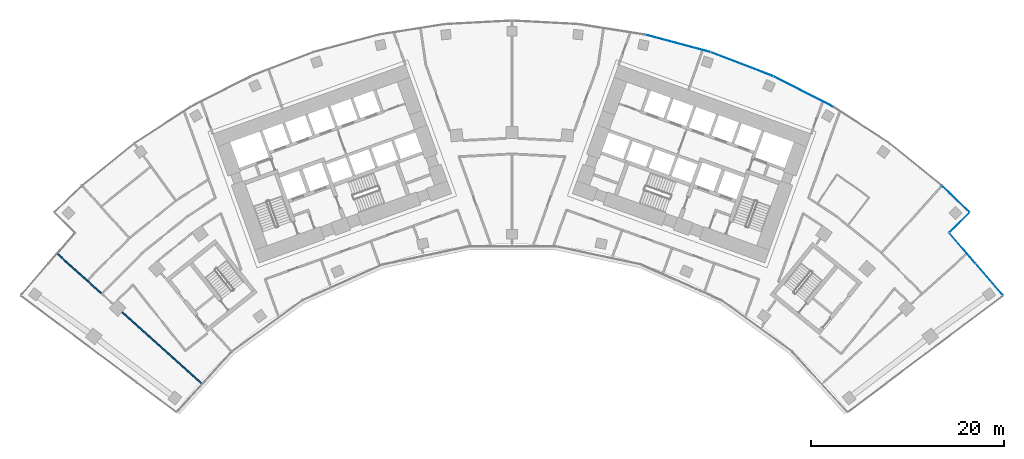
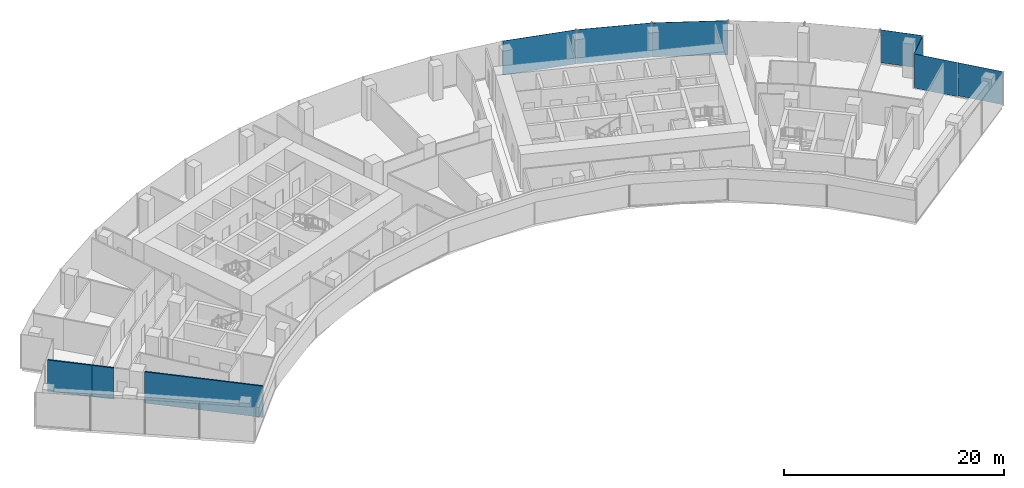
# One storey, part 12 of 20: 7 plates, 3 walls, 3 elements without a shape of their own.
"""IFC4 building model written with IfcOpenShell, lengths in metres."""

from ifc_helpers import new_model, si_unit, direction, frame, frame_2d, origin, origin_2d, place, context, subcontext, project, spatial, rectangle, extrude, material, layer, layer_set, type_object, element, aggregate, save


model = new_model("IFC4")

# Units and contexts
model_context = context("Model", 3, precision=1e-05, world=origin(), true_north=direction((0.0, 1.0)))
body_context = subcontext(model_context, "Body", "Model", "MODEL_VIEW")
ifc_project = project(units=[si_unit("LENGTHUNIT", "METRE"), si_unit("AREAUNIT", "SQUARE_METRE"), si_unit("VOLUMEUNIT", "CUBIC_METRE"), si_unit("PLANEANGLEUNIT", "RADIAN"), si_unit("MASSUNIT", "GRAM", prefix="KILO")], contexts=[model_context])

# Site, building, storey
site_placement = place(None, origin())
site = spatial("IfcSite", under=ifc_project, at=site_placement, CompositionType="ELEMENT")
building_placement = place(site_placement, origin())
building = spatial("IfcBuilding", under=site, at=building_placement, Name="Stone Belt Terrace Tower", CompositionType="ELEMENT")
storey_placement = place(building_placement, frame((0.0, 0.0, 147.800048828125)))
storey = spatial("IfcBuildingStorey", under=building, at=storey_placement, Name="L35", CompositionType="ELEMENT", Elevation=147.800048828125)

# Curtain wall, plates
ifc_material_1 = material(Name="Aluminium 6063-T6 anodised frame", Category="aluminium")
ifc_layer_1 = layer(ifc_material_1, 0.14990234375)
ifc_layer_set_1 = layer_set([ifc_layer_1], Name="CW-A unitised convex-face curtain wall")
curtain_wall_type_1 = type_object("IfcCurtainWallType", Name="CW-A unitised convex-face curtain wall", PredefinedType="NOTDEFINED", material=ifc_layer_set_1)
curtain_wall_1_placement = place(storey_placement, origin())
curtain_wall_1 = element("IfcCurtainWall", 1, at=curtain_wall_1_placement, inside=storey, type_object=curtain_wall_type_1, Name="CW-A convex face L35", PredefinedType="NOTDEFINED")
ifc_material_2 = material(Name="Clear double glazed unit")
ifc_layer_2 = layer(ifc_material_2, 0.031982421875)
ifc_layer_set_2 = layer_set([ifc_layer_2], Name="CW-A glass panel 32")
plate_type_1 = type_object("IfcPlateType", Name="CW-A glass panel 32", PredefinedType="CURTAIN_PANEL", material=ifc_layer_set_2)
plate_1_placement = place(storey_placement, frame((45.9765625, 48.109619140625, 0.14013671875), z_axis=(0.0, 0.0, 1.0), x_axis=(-0.723120883539, 0.690721497993, 0.0)))
plate_1 = element("IfcPlate", 2, at=plate_1_placement, type_object=plate_type_1, Name="CW-A panel 1.1", PredefinedType="CURTAIN_PANEL", context=body_context, shape_type="SweptSolid", body=[
    extrude(rectangle(XDim=3.888671875, YDim=0.031982421875, at=origin_2d()), origin(), (0.0, 0.0, 1.0), 3.659912109375),
])
plate_2_placement = place(storey_placement, frame((30.18310546875, 59.237548828125, 0.0), z_axis=(0.0, 0.0, 1.0), x_axis=(-0.891006524188, 0.45399049974, 0.0)))
plate_2 = element("IfcPlate", 3, at=plate_2_placement, type_object=plate_type_1, Name="CW-A panel 4.1", PredefinedType="CURTAIN_PANEL", context=body_context, shape_type="SweptSolid", body=[
    extrude(rectangle(XDim=6.90087890625, YDim=0.031982421875, at=origin_2d()), origin(), (0.0, 0.0, 1.0), 3.800048828125),
])
plate_3_placement = place(storey_placement, frame((23.82568359375, 62.068115234375, 0.0), z_axis=(0.0, 0.0, 1.0), x_axis=(-0.933580426497, 0.358367949545, 0.0)))
plate_3 = element("IfcPlate", 4, at=plate_3_placement, type_object=plate_type_1, Name="CW-A panel 5.1", PredefinedType="CURTAIN_PANEL", context=body_context, shape_type="SweptSolid", body=[
    extrude(rectangle(XDim=6.90087890625, YDim=0.031982421875, at=origin_2d()), origin(), (0.0, 0.0, 1.0), 3.800048828125),
])
plate_4_placement = place(storey_placement, frame((17.207275390625, 64.218505859375, 0.0), z_axis=(0.0, 0.0, 1.0), x_axis=(-0.965925826289, 0.258819045103, 0.0)))
plate_4 = element("IfcPlate", 5, at=plate_4_placement, type_object=plate_type_1, Name="CW-A panel 6.1", PredefinedType="CURTAIN_PANEL", context=body_context, shape_type="SweptSolid", body=[
    extrude(rectangle(XDim=6.90087890625, YDim=0.031982421875, at=origin_2d()), origin(), (0.0, 0.0, 1.0), 3.800048828125),
])
aggregate(curtain_wall_1, [plate_1, plate_2, plate_3, plate_4])

ifc_layer_3 = layer(ifc_material_1, 0.14990234375)
ifc_layer_set_3 = layer_set([ifc_layer_3], Name="CW-C stick curtain wall, horn ends and notches")
curtain_wall_type_2 = type_object("IfcCurtainWallType", Name="CW-C stick curtain wall, horn ends and notches", PredefinedType="NOTDEFINED", material=ifc_layer_set_3)
curtain_wall_2_placement = place(storey_placement, origin())
curtain_wall_2 = element("IfcCurtainWall", 6, at=curtain_wall_2_placement, inside=storey, type_object=curtain_wall_type_2, Name="CW-C notch face L35", PredefinedType="NOTDEFINED")
ifc_layer_4 = layer(ifc_material_2, 0.028076171875)
ifc_layer_set_4 = layer_set([ifc_layer_4], Name="CW-C glass panel 28")
plate_type_2 = type_object("IfcPlateType", Name="CW-C glass panel 28", PredefinedType="CURTAIN_PANEL", material=ifc_layer_set_4)
plate_5_placement = place(storey_placement, frame((49.466064453125, 39.76318359375, 0.1201171875), z_axis=(0.0, 0.0, 1.0), x_axis=(-0.652737860281, 0.757583847343, 0.0)))
plate_5 = element("IfcPlate", 7, at=plate_5_placement, type_object=plate_type_2, Name="CW-C panel 1.1", PredefinedType="CURTAIN_PANEL", context=body_context, shape_type="SweptSolid", body=[
    extrude(rectangle(XDim=4.268798828125, YDim=0.028076171875, at=origin_2d()), origin(), (0.0, 0.0, 1.0), 3.679931640625),
])
plate_6_placement = place(storey_placement, frame((46.68896484375, 42.986572265625, 0.0), z_axis=(0.0, 0.0, 1.0), x_axis=(-0.652737860281, 0.757583847343, 0.0)))
plate_6 = element("IfcPlate", 8, at=plate_6_placement, type_object=plate_type_2, Name="CW-C panel 2.1", PredefinedType="CURTAIN_PANEL", context=body_context, shape_type="SweptSolid", body=[
    extrude(rectangle(XDim=4.12060546875, YDim=0.028076171875, at=origin_2d()), origin(), (0.0, 0.0, 1.0), 3.800048828125),
])
aggregate(curtain_wall_2, [plate_5, plate_6])

# Curtain wall, plate
curtain_wall_3_placement = place(storey_placement, origin())
curtain_wall_3 = element("IfcCurtainWall", 9, at=curtain_wall_3_placement, inside=storey, type_object=curtain_wall_type_2, Name="CW-C notch face L35", PredefinedType="NOTDEFINED")
plate_7_placement = place(storey_placement, frame((46.365966796875, 45.658447265625, 0.1201171875), z_axis=(0.0, 0.0, 1.0), x_axis=(0.711713447851, 0.702469905511, 0.0)))
plate_7 = element("IfcPlate", 10, at=plate_7_placement, type_object=plate_type_2, Name="CW-C panel 1.1", PredefinedType="CURTAIN_PANEL", context=body_context, shape_type="SweptSolid", body=[
    extrude(rectangle(XDim=2.859375, YDim=0.028076171875, at=origin_2d()), origin(), (0.0, 0.0, 1.0), 3.679931640625),
])
aggregate(curtain_wall_3, [plate_7])

# Walls
ifc_material_3 = material(Name="Gypsum board partition")
ifc_layer_5 = layer(ifc_material_3, 0.14990234375)
ifc_layer_set_5 = layer_set([ifc_layer_5], Name="PARTITION 150 EI 60")
wall_type = type_object("IfcWallType", Name="PARTITION 150 EI 60", PredefinedType="PARTITIONING", material=ifc_layer_set_5)
wall_1_placement = place(storey_placement, frame((-40.385986328125, 36.3642578125, 0.0), z_axis=(0.0, 0.0, 1.0), x_axis=(0.743128216334, -0.669149052221, 0.0)))
element("IfcWall", 11, at=wall_1_placement, inside=storey, type_object=wall_type, Name="L35/wall/i041", PredefinedType="PARTITIONING", context=body_context, shape_type="SweptSolid", body=[
    extrude(rectangle(XDim=11.048828125, YDim=0.14990234375, at=frame_2d((5.5244140625, 0.0))), origin(), (0.0, 0.0, 1.0), 3.47998046875),
])
wall_2_placement = place(storey_placement, frame((-44.032958984375, 39.64892578125, 0.0), z_axis=(0.0, 0.0, 1.0), x_axis=(0.742822489991, -0.669488422875, 0.0)))
element("IfcWall", 12, at=wall_2_placement, inside=storey, type_object=wall_type, Name="L35/wall/i042", PredefinedType="PARTITIONING", context=body_context, shape_type="SweptSolid", body=[
    extrude(rectangle(XDim=2.0341796875, YDim=0.14990234375, at=frame_2d((1.01708984375, 0.0))), origin(), (0.0, 0.0, 1.0), 3.47998046875),
])
wall_3_placement = place(storey_placement, frame((-47.09228515625, 42.40283203125, 0.0), z_axis=(0.0, 0.0, 1.0), x_axis=(0.743164720572, -0.669108509958, 0.0)))
element("IfcWall", 13, at=wall_3_placement, inside=storey, type_object=wall_type, Name="L35/wall/i043", PredefinedType="PARTITIONING", context=body_context, shape_type="SweptSolid", body=[
    extrude(rectangle(XDim=4.12744140625, YDim=0.14990234375, at=frame_2d((2.063720703125, 0.0))), origin(), (0.0, 0.0, 1.0), 3.47998046875),
])

save(model, "model.ifc")
